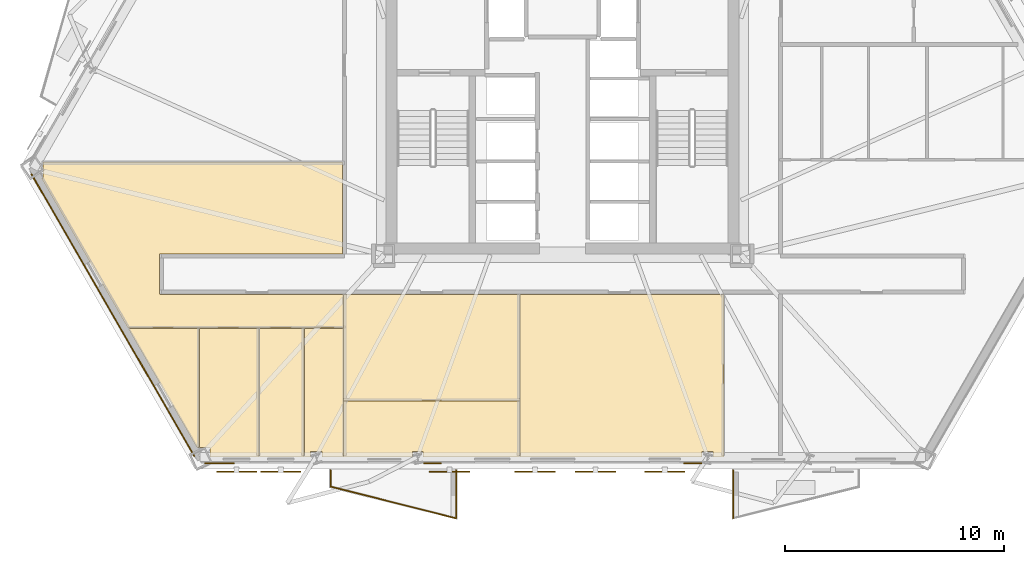
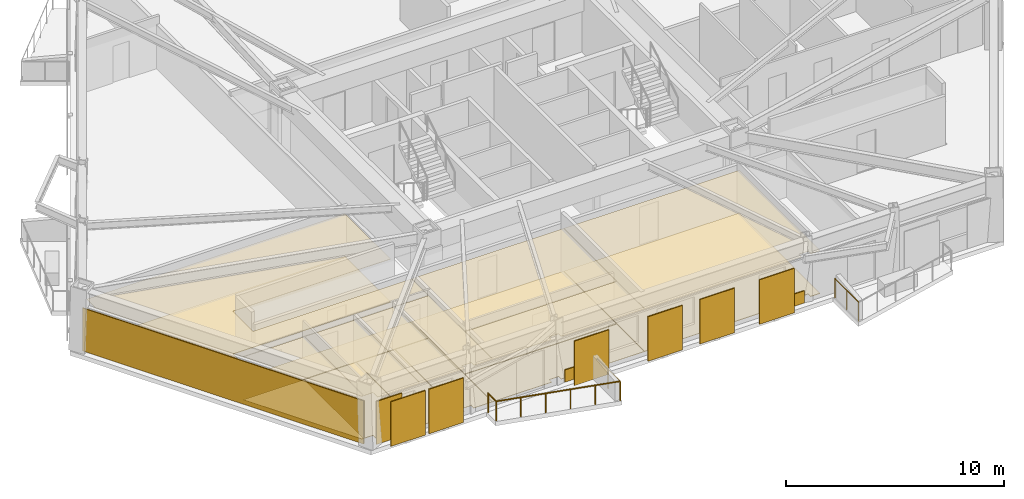
# One storey, part 7 of 13: 20 coverings, 6 shading devices, 4 railings.
"""IFC4 building model written with IfcOpenShell, lengths in metres."""

from ifc_helpers import new_model, si_unit, direction, frame, origin, origin_2d, place, context, subcontext, project, spatial, polyline, rectangle, circle, outline, extrude, material, layer, layer_set, type_object, element, save


model = new_model("IFC4")

# Units and contexts
model_context = context("Model", 3, precision=1e-05, world=origin(), true_north=direction((0.0, 1.0)))
body_context = subcontext(model_context, "Body", "Model", "MODEL_VIEW")
ifc_project = project(units=[si_unit("LENGTHUNIT", "METRE"), si_unit("AREAUNIT", "SQUARE_METRE"), si_unit("VOLUMEUNIT", "CUBIC_METRE"), si_unit("PLANEANGLEUNIT", "RADIAN"), si_unit("MASSUNIT", "GRAM", prefix="KILO")], contexts=[model_context])

# Site, building, storey
site_placement = place(None, origin())
site = spatial("IfcSite", under=ifc_project, at=site_placement, CompositionType="ELEMENT")
building_placement = place(site_placement, origin())
building = spatial("IfcBuilding", under=site, at=building_placement, Name="Oramaril Tower", CompositionType="ELEMENT")
storey_placement = place(building_placement, frame((0.0, 0.0, 38.10009765625)))
storey = spatial("IfcBuildingStorey", under=building, at=storey_placement, Name="L09", CompositionType="ELEMENT", Elevation=38.10009765625)

# Coverings
ifc_material_1 = material(Name="Mineral Fibre Acoustic Ceiling")
ifc_layer_1 = layer(ifc_material_1, 0.02001953125)
ifc_layer_set_1 = layer_set([ifc_layer_1], Name="CVT-CEIL")
covering_type_1 = type_object("IfcCoveringType", Name="CVT-CEIL", PredefinedType="CEILING", material=ifc_layer_set_1)
covering_1_placement = place(storey_placement, frame((0.0, 0.0, 2.39990234375)))
element("IfcCovering", 1, at=covering_1_placement, inside=storey, type_object=covering_type_1, Name="L09 Acoustic Suspended Ceiling 6", PredefinedType="CEILING", context=body_context, shape_type="SweptSolid", body=[
    extrude(outline(polyline([(27.508056640625, 9.199951171875), (35.5419921875, 9.199951171875), (35.5419921875, 4.337158203125), (27.508056640625, 4.337158203125), (27.508056640625, 9.199951171875)])), origin(), (0.0, 0.0, 1.0), 0.02001953125),
])
covering_2_placement = place(storey_placement, frame((0.0, 0.0, 2.39990234375)))
element("IfcCovering", 2, at=covering_2_placement, inside=storey, type_object=covering_type_1, Name="L09 Acoustic Suspended Ceiling 7", PredefinedType="CEILING", context=body_context, shape_type="SweptSolid", body=[
    extrude(outline(polyline([(31.132568359375, 2.01318359375), (30.639404296875, 2.01318359375), (30.639404296875, 1.78173828125), (27.508056640625, 1.78173828125), (27.508056640625, 4.317138671875), (35.5419921875, 4.317138671875), (35.5419921875, 1.78173828125), (31.132568359375, 1.78173828125), (31.132568359375, 2.01318359375)])), origin(), (0.0, 0.0, 1.0), 0.02001953125),
])
covering_3_placement = place(storey_placement, frame((0.0, 0.0, 2.39990234375)))
element("IfcCovering", 3, at=covering_3_placement, inside=storey, type_object=covering_type_1, Name="L09 Acoustic Suspended Ceiling 8", PredefinedType="CEILING", context=body_context, shape_type="SweptSolid", body=[
    extrude(outline(polyline([(44.360595703125, 1.78173828125), (44.360595703125, 2.01318359375), (43.867431640625, 2.01318359375), (43.867431640625, 1.78173828125), (35.56201171875, 1.78173828125), (35.56201171875, 4.317138671875), (35.56201171875, 4.319091796875), (35.5615234375, 4.321044921875), (35.56103515625, 4.322998046875), (35.560546875, 4.32470703125), (35.5595703125, 4.326416015625), (35.559326171875, 4.3271484375), (35.5595703125, 4.32763671875), (35.560546875, 4.329345703125), (35.56103515625, 4.331298828125), (35.5615234375, 4.333251953125), (35.56201171875, 4.335205078125), (35.56201171875, 4.337158203125), (35.56201171875, 9.199951171875), (44.863037109375, 9.199951171875), (44.863037109375, 1.78173828125), (44.360595703125, 1.78173828125)])), origin(), (0.0, 0.0, 1.0), 0.02001953125),
])
covering_4_placement = place(storey_placement, frame((0.0, 0.0, 2.39990234375)))
element("IfcCovering", 4, at=covering_4_placement, inside=storey, type_object=covering_type_1, Name="L09 Acoustic Suspended Ceiling 10", PredefinedType="CEILING", context=body_context, shape_type="SweptSolid", body=[
    extrude(outline(polyline([(17.653564453125, 7.667236328125), (13.7080078125, 14.501220703125), (13.771484375, 14.501220703125), (13.771484375, 15.241943359375), (27.449951171875, 15.241943359375), (27.449951171875, 11.050048828125), (19.1201171875, 11.050048828125), (19.117919921875, 11.0498046875), (19.1162109375, 11.049560546875), (19.1142578125, 11.049072265625), (19.1123046875, 11.048583984375), (19.110595703125, 11.047607421875), (19.10888671875, 11.046630859375), (19.107421875, 11.04541015625), (19.10595703125, 11.044189453125), (19.1044921875, 11.042724609375), (19.103515625, 11.041015625), (19.102294921875, 11.039306640625), (19.1015625, 11.03759765625), (19.100830078125, 11.035888671875), (19.100341796875, 11.033935546875), (19.10009765625, 11.031982421875), (19.10009765625, 11.030029296875), (19.10009765625, 9.219970703125), (19.10009765625, 9.218017578125), (19.100341796875, 9.216064453125), (19.100830078125, 9.214111328125), (19.1015625, 9.21240234375), (19.102294921875, 9.210693359375), (19.103515625, 9.208984375), (19.1044921875, 9.207275390625), (19.10595703125, 9.205810546875), (19.107421875, 9.20458984375), (19.10888671875, 9.203369140625), (19.110595703125, 9.202392578125), (19.1123046875, 9.201416015625), (19.1142578125, 9.200927734375), (19.1162109375, 9.200439453125), (19.117919921875, 9.2001953125), (19.1201171875, 9.199951171875), (27.488037109375, 9.199951171875), (27.488037109375, 7.667236328125), (17.653564453125, 7.667236328125)])), origin(), (0.0, 0.0, 1.0), 0.02001953125),
])
covering_5_placement = place(storey_placement, frame((0.0, 0.0, 2.39990234375)))
element("IfcCovering", 5, at=covering_5_placement, inside=storey, type_object=covering_type_1, Name="L09 Acoustic Suspended Ceiling 11", PredefinedType="CEILING", context=body_context, shape_type="SweptSolid", body=[
    extrude(outline(polyline([(20.81201171875, 2.1962890625), (17.6650390625, 7.647216796875), (20.909423828125, 7.647216796875), (20.909423828125, 2.1962890625), (20.81201171875, 2.1962890625)])), origin(), (0.0, 0.0, 1.0), 0.02001953125),
])
covering_6_placement = place(storey_placement, frame((0.0, 0.0, 2.39990234375)))
element("IfcCovering", 6, at=covering_6_placement, inside=storey, type_object=covering_type_1, Name="L09 Acoustic Suspended Ceiling 12", PredefinedType="CEILING", context=body_context, shape_type="SweptSolid", body=[
    extrude(outline(polyline([(21.4091796875, 1.78173828125), (21.4091796875, 2.1962890625), (20.929443359375, 2.1962890625), (20.929443359375, 7.647216796875), (23.652099609375, 7.647216796875), (23.652099609375, 1.78173828125), (21.4091796875, 1.78173828125)])), origin(), (0.0, 0.0, 1.0), 0.02001953125),
])
covering_7_placement = place(storey_placement, frame((0.0, 0.0, 2.39990234375)))
element("IfcCovering", 7, at=covering_7_placement, inside=storey, type_object=covering_type_1, Name="L09 Acoustic Suspended Ceiling 13", PredefinedType="CEILING", context=body_context, shape_type="SweptSolid", body=[
    extrude(outline(polyline([(23.672119140625, 1.78173828125), (23.672119140625, 7.647216796875), (25.701904296875, 7.647216796875), (25.701904296875, 1.78173828125), (23.672119140625, 1.78173828125)])), origin(), (0.0, 0.0, 1.0), 0.02001953125),
])
covering_8_placement = place(storey_placement, frame((0.0, 0.0, 2.39990234375)))
element("IfcCovering", 8, at=covering_8_placement, inside=storey, type_object=covering_type_1, Name="L09 Acoustic Suspended Ceiling 14", PredefinedType="CEILING", context=body_context, shape_type="SweptSolid", body=[
    extrude(outline(polyline([(26.509521484375, 1.78173828125), (26.509521484375, 2.01318359375), (26.002685546875, 2.01318359375), (26.002685546875, 1.78173828125), (25.721923828125, 1.78173828125), (25.721923828125, 7.647216796875), (27.488037109375, 7.647216796875), (27.488037109375, 4.337158203125), (27.488037109375, 4.335205078125), (27.48828125, 4.333251953125), (27.489013671875, 4.331298828125), (27.489501953125, 4.329345703125), (27.490478515625, 4.32763671875), (27.49072265625, 4.3271484375), (27.490478515625, 4.326416015625), (27.489501953125, 4.32470703125), (27.489013671875, 4.322998046875), (27.48828125, 4.321044921875), (27.488037109375, 4.319091796875), (27.488037109375, 4.317138671875), (27.488037109375, 1.78173828125), (26.509521484375, 1.78173828125)])), origin(), (0.0, 0.0, 1.0), 0.02001953125),
])
ifc_material_2 = material(Name="Warm Cream Limestone", Category="masonry")
ifc_layer_2 = layer(ifc_material_2, 0.050048828125)
ifc_layer_set_2 = layer_set([ifc_layer_2], Name="CVT-CLD")
covering_type_2 = type_object("IfcCoveringType", Name="CVT-CLD", PredefinedType="CLADDING", material=ifc_layer_set_2)
covering_9_placement = place(storey_placement, frame((16.970947265625, 8.24755859375, 0.039794921875), z_axis=(0.0, 0.0, 1.0), x_axis=(0.499995465495, -0.866028021766, 0.0)))
element("IfcCovering", 9, at=covering_9_placement, inside=storey, type_object=covering_type_2, Name="L09 Warm Cream Limestone Cladding", PredefinedType="CLADDING", context=body_context, shape_type="SweptSolid", body=[
    extrude(rectangle(XDim=14.904052734375, YDim=0.050048828125, at=origin_2d()), origin(), (0.0, 0.0, 1.0), 2.4140625),
])
covering_10_placement = place(storey_placement, frame((21.839111328125, 1.480712890625, 0.039794921875), z_axis=(0.0, 0.0, 1.0), x_axis=(1.0, 0.0, 0.0)))
element("IfcCovering", 10, at=covering_10_placement, inside=storey, type_object=covering_type_2, Name="L09 Warm Cream Limestone Cladding", PredefinedType="CLADDING", context=body_context, shape_type="SweptSolid", body=[
    extrude(rectangle(XDim=1.35009765625, YDim=0.050048828125, at=origin_2d()), origin(), (0.0, 0.0, 1.0), 2.4140625),
])
for number, where, z_axis, x_axis, name in (
    (11, (31.55615234375, 1.480712890625, 0.0400390625), (0.0, 0.0, 1.0), (1.0, 0.0, 0.0), "L09 Warm Cream Limestone Spandrel Cladding"),
    (12, (43.44384765625, 1.480712890625, 0.0400390625), (0.0, 0.0, 1.0), (1.0, 0.0, 0.0), "L09 Warm Cream Limestone Spandrel Cladding"),
):
    element("IfcCovering", number, at=place(storey_placement, frame(where, z_axis=z_axis, x_axis=x_axis)), inside=storey, type_object=covering_type_2, Name=name, PredefinedType="CLADDING", context=body_context, shape_type="SweptSolid", body=[
        extrude(rectangle(XDim=0.800048828125, YDim=0.050048828125, at=origin_2d()), origin(), (0.0, 0.0, 1.0), 0.679931640625),
    ])
ifc_material_3 = material(Name="Honed Quartzite Stone Flooring", Category="masonry")
ifc_layer_3 = layer(ifc_material_3, 0.02490234375)
ifc_layer_set_3 = layer_set([ifc_layer_3], Name="CVT-FLR")
covering_type_3 = type_object("IfcCoveringType", Name="CVT-FLR", PredefinedType="FLOORING", material=ifc_layer_set_3)
covering_11_placement = place(storey_placement, origin())
element("IfcCovering", 13, at=covering_11_placement, inside=storey, type_object=covering_type_3, Name="L09 Honed Stone Floor Finish 6", PredefinedType="FLOORING", context=body_context, shape_type="SweptSolid", body=[
    extrude(outline(polyline([(27.508056640625, 9.199951171875), (35.5419921875, 9.199951171875), (35.5419921875, 4.337158203125), (27.508056640625, 4.337158203125), (27.508056640625, 9.199951171875)])), origin(), (0.0, 0.0, 1.0), 0.02490234375),
])
covering_12_placement = place(storey_placement, origin())
element("IfcCovering", 14, at=covering_12_placement, inside=storey, type_object=covering_type_3, Name="L09 Honed Stone Floor Finish 7", PredefinedType="FLOORING", context=body_context, shape_type="SweptSolid", body=[
    extrude(outline(polyline([(31.132568359375, 2.01318359375), (30.639404296875, 2.01318359375), (30.639404296875, 1.78173828125), (27.508056640625, 1.78173828125), (27.508056640625, 4.317138671875), (35.5419921875, 4.317138671875), (35.5419921875, 1.78173828125), (31.132568359375, 1.78173828125), (31.132568359375, 2.01318359375)])), origin(), (0.0, 0.0, 1.0), 0.02490234375),
])
covering_13_placement = place(storey_placement, origin())
element("IfcCovering", 15, at=covering_13_placement, inside=storey, type_object=covering_type_3, Name="L09 Honed Stone Floor Finish 8", PredefinedType="FLOORING", context=body_context, shape_type="SweptSolid", body=[
    extrude(outline(polyline([(44.360595703125, 1.78173828125), (44.360595703125, 2.01318359375), (43.867431640625, 2.01318359375), (43.867431640625, 1.78173828125), (35.56201171875, 1.78173828125), (35.56201171875, 4.317138671875), (35.56201171875, 4.319091796875), (35.5615234375, 4.321044921875), (35.56103515625, 4.322998046875), (35.560546875, 4.32470703125), (35.5595703125, 4.326416015625), (35.559326171875, 4.3271484375), (35.5595703125, 4.32763671875), (35.560546875, 4.329345703125), (35.56103515625, 4.331298828125), (35.5615234375, 4.333251953125), (35.56201171875, 4.335205078125), (35.56201171875, 4.337158203125), (35.56201171875, 9.199951171875), (44.863037109375, 9.199951171875), (44.863037109375, 1.78173828125), (44.360595703125, 1.78173828125)])), origin(), (0.0, 0.0, 1.0), 0.02490234375),
])
covering_14_placement = place(storey_placement, origin())
element("IfcCovering", 16, at=covering_14_placement, inside=storey, type_object=covering_type_3, Name="L09 Honed Stone Floor Finish 10", PredefinedType="FLOORING", context=body_context, shape_type="SweptSolid", body=[
    extrude(outline(polyline([(17.653564453125, 7.667236328125), (13.7080078125, 14.501220703125), (13.771484375, 14.501220703125), (13.771484375, 15.241943359375), (27.449951171875, 15.241943359375), (27.449951171875, 11.050048828125), (19.1201171875, 11.050048828125), (19.117919921875, 11.0498046875), (19.1162109375, 11.049560546875), (19.1142578125, 11.049072265625), (19.1123046875, 11.048583984375), (19.110595703125, 11.047607421875), (19.10888671875, 11.046630859375), (19.107421875, 11.04541015625), (19.10595703125, 11.044189453125), (19.1044921875, 11.042724609375), (19.103515625, 11.041015625), (19.102294921875, 11.039306640625), (19.1015625, 11.03759765625), (19.100830078125, 11.035888671875), (19.100341796875, 11.033935546875), (19.10009765625, 11.031982421875), (19.10009765625, 11.030029296875), (19.10009765625, 9.219970703125), (19.10009765625, 9.218017578125), (19.100341796875, 9.216064453125), (19.100830078125, 9.214111328125), (19.1015625, 9.21240234375), (19.102294921875, 9.210693359375), (19.103515625, 9.208984375), (19.1044921875, 9.207275390625), (19.10595703125, 9.205810546875), (19.107421875, 9.20458984375), (19.10888671875, 9.203369140625), (19.110595703125, 9.202392578125), (19.1123046875, 9.201416015625), (19.1142578125, 9.200927734375), (19.1162109375, 9.200439453125), (19.117919921875, 9.2001953125), (19.1201171875, 9.199951171875), (27.488037109375, 9.199951171875), (27.488037109375, 7.667236328125), (17.653564453125, 7.667236328125)])), origin(), (0.0, 0.0, 1.0), 0.02490234375),
])
covering_15_placement = place(storey_placement, origin())
element("IfcCovering", 17, at=covering_15_placement, inside=storey, type_object=covering_type_3, Name="L09 Honed Stone Floor Finish 11", PredefinedType="FLOORING", context=body_context, shape_type="SweptSolid", body=[
    extrude(outline(polyline([(20.81201171875, 2.1962890625), (17.6650390625, 7.647216796875), (20.909423828125, 7.647216796875), (20.909423828125, 2.1962890625), (20.81201171875, 2.1962890625)])), origin(), (0.0, 0.0, 1.0), 0.02490234375),
])
covering_16_placement = place(storey_placement, origin())
element("IfcCovering", 18, at=covering_16_placement, inside=storey, type_object=covering_type_3, Name="L09 Honed Stone Floor Finish 12", PredefinedType="FLOORING", context=body_context, shape_type="SweptSolid", body=[
    extrude(outline(polyline([(21.4091796875, 1.78173828125), (21.4091796875, 2.1962890625), (20.929443359375, 2.1962890625), (20.929443359375, 7.647216796875), (23.652099609375, 7.647216796875), (23.652099609375, 1.78173828125), (21.4091796875, 1.78173828125)])), origin(), (0.0, 0.0, 1.0), 0.02490234375),
])
covering_17_placement = place(storey_placement, origin())
element("IfcCovering", 19, at=covering_17_placement, inside=storey, type_object=covering_type_3, Name="L09 Honed Stone Floor Finish 13", PredefinedType="FLOORING", context=body_context, shape_type="SweptSolid", body=[
    extrude(outline(polyline([(23.672119140625, 1.78173828125), (23.672119140625, 7.647216796875), (25.701904296875, 7.647216796875), (25.701904296875, 1.78173828125), (23.672119140625, 1.78173828125)])), origin(), (0.0, 0.0, 1.0), 0.02490234375),
])
covering_18_placement = place(storey_placement, origin())
element("IfcCovering", 20, at=covering_18_placement, inside=storey, type_object=covering_type_3, Name="L09 Honed Stone Floor Finish 14", PredefinedType="FLOORING", context=body_context, shape_type="SweptSolid", body=[
    extrude(outline(polyline([(26.509521484375, 1.78173828125), (26.509521484375, 2.01318359375), (26.002685546875, 2.01318359375), (26.002685546875, 1.78173828125), (25.721923828125, 1.78173828125), (25.721923828125, 7.647216796875), (27.488037109375, 7.647216796875), (27.488037109375, 4.337158203125), (27.488037109375, 4.335205078125), (27.48828125, 4.333251953125), (27.489013671875, 4.331298828125), (27.489501953125, 4.329345703125), (27.490478515625, 4.32763671875), (27.49072265625, 4.3271484375), (27.490478515625, 4.326416015625), (27.489501953125, 4.32470703125), (27.489013671875, 4.322998046875), (27.48828125, 4.321044921875), (27.488037109375, 4.319091796875), (27.488037109375, 4.317138671875), (27.488037109375, 1.78173828125), (26.509521484375, 1.78173828125)])), origin(), (0.0, 0.0, 1.0), 0.02490234375),
])

# Railings
ifc_material_4 = material(Name="Stainless Steel 316L", Category="steel")
railing_type = type_object("IfcRailingType", Name="RLT-GRD", PredefinedType="GUARDRAIL", material=ifc_material_4)
railing_1_placement = place(storey_placement, frame((32.638427734375, 1.165771484375, 0.0)))
element("IfcRailing", 21, at=railing_1_placement, inside=storey, type_object=railing_type, Name="L09 Balcony Guardrail L09-BAL-S1.1", PredefinedType="GUARDRAIL", context=body_context, shape_type="SweptSolid", body=[
    extrude(circle(Radius=0.02392578125, at=origin_2d()), frame((0.0, 0.0, 1.076171875), z_axis=(0.0, -1.0, 0.0), x_axis=(1.0, 0.0, 0.0)), (0.0, 0.0, 1.0), 2.19189453125),
    extrude(circle(Radius=0.02099609375, at=origin_2d()), origin(), (0.0, 0.0, 1.0), 1.052001953125),
    extrude(circle(Radius=0.02099609375, at=origin_2d()), frame((0.0, -1.095947265625, 0.0)), (0.0, 0.0, 1.0), 1.052001953125),
    extrude(circle(Radius=0.02099609375, at=origin_2d()), frame((0.0, -2.19189453125, 0.0)), (0.0, 0.0, 1.0), 1.052001953125),
])
railing_2_placement = place(storey_placement, frame((32.638427734375, -1.026123046875, 0.0)))
element("IfcRailing", 22, at=railing_2_placement, inside=storey, type_object=railing_type, Name="L09 Balcony Guardrail L09-BAL-S1.2", PredefinedType="GUARDRAIL", context=body_context, shape_type="SweptSolid", body=[
    extrude(circle(Radius=0.02392578125, at=origin_2d()), frame((0.0, 0.0, 1.076171875), z_axis=(-0.969443611257, 0.245314256807, 0.0), x_axis=(-0.245314256807, -0.969443611257, 0.0)), (0.0, 0.0, 1.0), 5.91064453125),
    extrude(circle(Radius=0.02099609375, at=origin_2d()), origin(), (0.0, 0.0, 1.0), 1.052001953125),
    extrude(circle(Radius=0.02099609375, at=origin_2d()), frame((-1.14599609375, 0.2900390625, 0.0)), (0.0, 0.0, 1.0), 1.052001953125),
    extrude(circle(Radius=0.02099609375, at=origin_2d()), frame((-2.2919921875, 0.580078125, 0.0)), (0.0, 0.0, 1.0), 1.052001953125),
    extrude(circle(Radius=0.02099609375, at=origin_2d()), frame((-3.43798828125, 0.869873046875, 0.0)), (0.0, 0.0, 1.0), 1.052001953125),
    extrude(circle(Radius=0.02099609375, at=origin_2d()), frame((-4.583984375, 1.159912109375, 0.0)), (0.0, 0.0, 1.0), 1.052001953125),
    extrude(circle(Radius=0.02099609375, at=origin_2d()), frame((-5.72998046875, 1.449951171875, 0.0)), (0.0, 0.0, 1.0), 1.052001953125),
])
railing_3_placement = place(storey_placement, frame((26.908447265625, 0.423828125, 0.0)))
element("IfcRailing", 23, at=railing_3_placement, inside=storey, type_object=railing_type, Name="L09 Balcony Guardrail L09-BAL-S1.3", PredefinedType="GUARDRAIL", context=body_context, shape_type="SweptSolid", body=[
    extrude(circle(Radius=0.02392578125, at=origin_2d()), frame((0.0, 0.0, 1.076171875), z_axis=(0.0, 1.0, 0.0), x_axis=(-1.0, 0.0, 0.0)), (0.0, 0.0, 1.0), 0.741943359375),
    extrude(circle(Radius=0.02099609375, at=origin_2d()), origin(), (0.0, 0.0, 1.0), 1.052001953125),
    extrude(circle(Radius=0.02099609375, at=origin_2d()), frame((0.0, 0.741943359375, 0.0)), (0.0, 0.0, 1.0), 1.052001953125),
])
railing_4_placement = place(storey_placement, frame((45.28662109375, -1.026123046875, 0.0)))
element("IfcRailing", 24, at=railing_4_placement, inside=storey, type_object=railing_type, Name="L09 Balcony Guardrail L09-BAL-S2.3", PredefinedType="GUARDRAIL", context=body_context, shape_type="SweptSolid", body=[
    extrude(circle(Radius=0.02392578125, at=origin_2d()), frame((0.0, 0.0, 1.076171875), z_axis=(0.0, 1.0, 0.0), x_axis=(-1.0, 0.0, 0.0)), (0.0, 0.0, 1.0), 2.19189453125),
    extrude(circle(Radius=0.02099609375, at=origin_2d()), origin(), (0.0, 0.0, 1.0), 1.052001953125),
    extrude(circle(Radius=0.02099609375, at=origin_2d()), frame((0.0, 1.095947265625, 0.0)), (0.0, 0.0, 1.0), 1.052001953125),
    extrude(circle(Radius=0.02099609375, at=origin_2d()), frame((0.0, 2.19189453125, 0.0)), (0.0, 0.0, 1.0), 1.052001953125),
])

# Shading devices
for number, where, z_axis, x_axis, name in (
    (25, (32.338623046875, 1.09375, -0.02001953125), (0.0, 0.0, 1.0), (1.0, 0.0, 0.0), "L09 Perforated Ceramic Solar Screen"),
    (26, (36.238525390625, 1.09375, -0.02001953125), (0.0, 0.0, 1.0), (1.0, 0.0, 0.0), "L09 Perforated Ceramic Solar Screen"),
    (27, (39.004150390625, 1.09375, -0.02001953125), (0.0, 0.0, 1.0), (1.0, 0.0, 0.0), "L09 Perforated Ceramic Solar Screen"),
    (28, (42.163818359375, 1.09375, -0.02001953125), (0.0, 0.0, 1.0), (1.0, 0.0, 0.0), "L09 Perforated Ceramic Solar Screen"),
    (29, (22.619873046875, 1.09375, -0.02001953125), (0.0, 0.0, 1.0), (1.0, 0.0, 0.0), "L09 Perforated Ceramic Solar Screen"),
    (30, (24.635009765625, 1.09375, -0.02001953125), (0.0, 0.0, 1.0), (1.0, 0.0, 0.0), "L09 Perforated Ceramic Solar Screen"),
):
    element("IfcShadingDevice", number, at=place(storey_placement, frame(where, z_axis=z_axis, x_axis=x_axis)), inside=storey, Name=name, ObjectType="SCREEN", PredefinedType="USERDEFINED", context=body_context, shape_type="SweptSolid", body=[
        extrude(rectangle(XDim=1.8330078125, YDim=0.050048828125, at=origin_2d()), origin(), (0.0, 0.0, 1.0), 2.493896484375),
    ])

save(model, "model.ifc")
